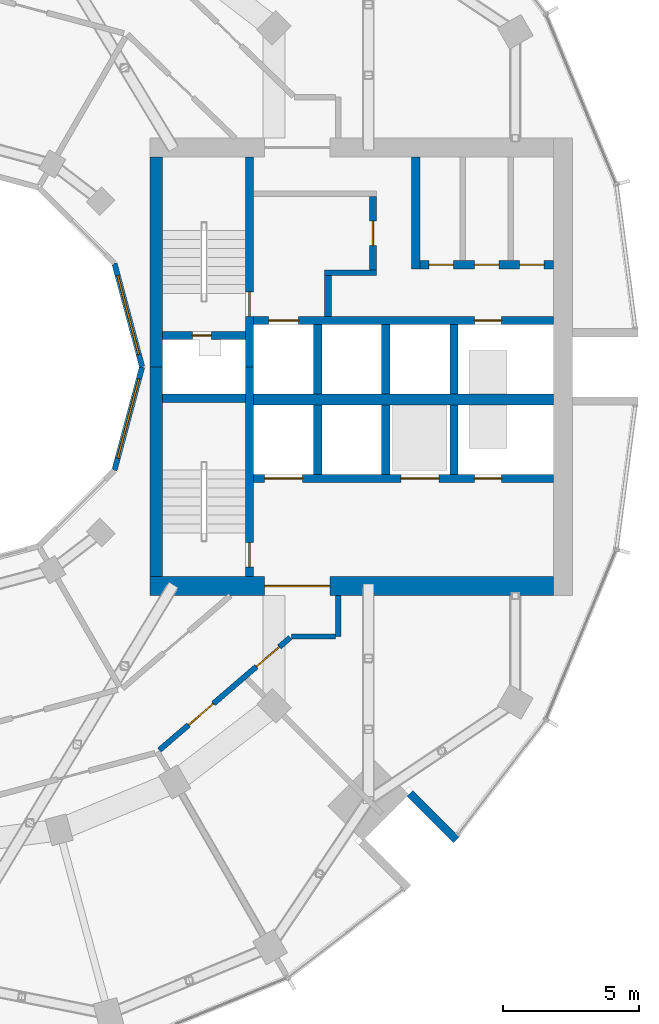
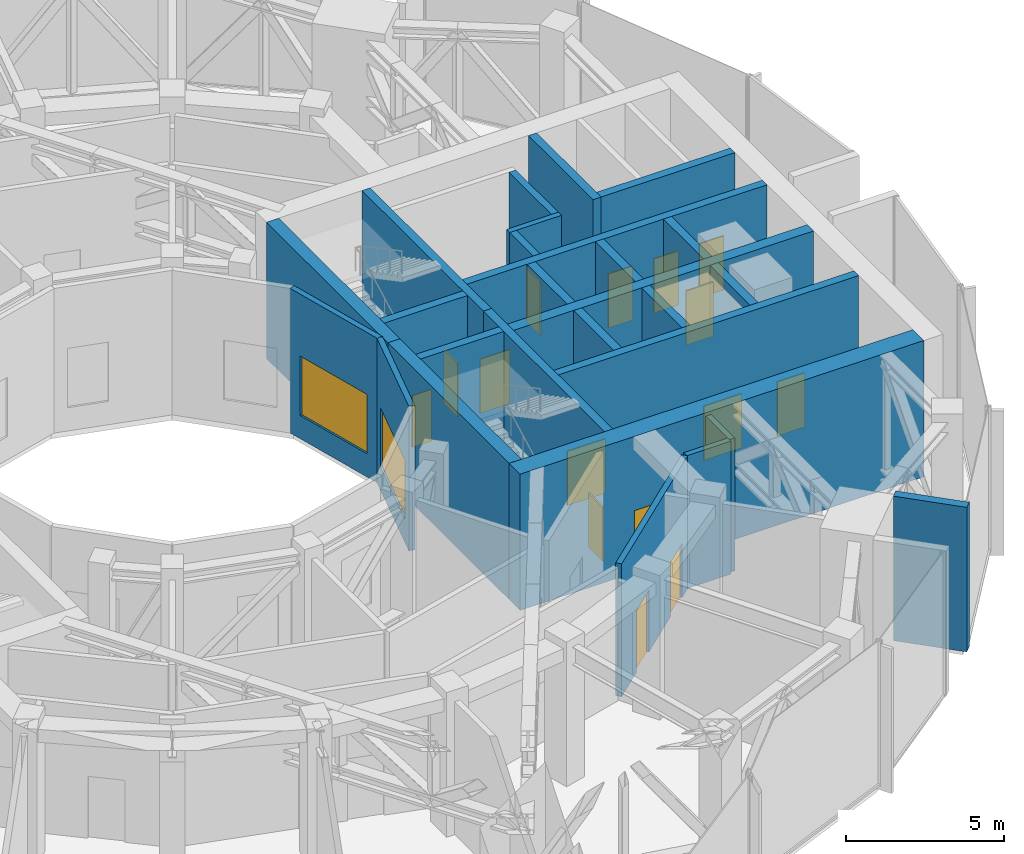
# One storey, part 14 of 18: 27 walls, 15 doors, 2 windows, 17 openings.
"""IFC4 building model written with IfcOpenShell, lengths in metres."""

from ifc_helpers import new_model, si_unit, direction, frame, frame_2d, origin, place, context, subcontext, project, spatial, rectangle, extrude, material, layer, layer_set, type_object, element, fill, save


model = new_model("IFC4")

# Units and contexts
model_context = context("Model", 3, precision=1e-05, world=origin(), true_north=direction((0.0, 1.0)))
body_context = subcontext(model_context, "Body", "Model", "MODEL_VIEW")
ifc_project = project(units=[si_unit("LENGTHUNIT", "METRE"), si_unit("AREAUNIT", "SQUARE_METRE"), si_unit("VOLUMEUNIT", "CUBIC_METRE"), si_unit("PLANEANGLEUNIT", "RADIAN"), si_unit("MASSUNIT", "GRAM", prefix="KILO")], contexts=[model_context])

# Site, building, storey
site_placement = place(None, origin())
site = spatial("IfcSite", under=ifc_project, at=site_placement, CompositionType="ELEMENT")
building_placement = place(site_placement, origin())
building = spatial("IfcBuilding", under=site, at=building_placement, Name="Torre Brocal", CompositionType="ELEMENT")
storey_placement = place(building_placement, frame((0.0, 0.0, 109.0)))
storey = spatial("IfcBuildingStorey", under=building, at=storey_placement, Name="L25", CompositionType="ELEMENT", Elevation=109.0)

# Wall
ifc_material_1 = material(Name="Concrete C70", Category="concrete")
ifc_layer_1 = layer(ifc_material_1, 0.199951171875)
ifc_layer_set_1 = layer_set([ifc_layer_1], Name="Concrete C70")
wall_type_1 = type_object("IfcWallType", Name="CORE WALL 200 C70", PredefinedType="SHEAR", material=ifc_layer_set_1)
wall_1_placement = place(storey_placement, frame((94.300048828125, 78.449951171875, 0.0), z_axis=(0.0, 0.0, 1.0), x_axis=(1.0, 0.0, 0.0)))
element("IfcWall", 1, at=wall_1_placement, inside=storey, type_object=wall_type_1, Name="Wall CW200-70", PredefinedType="SHEAR", context=body_context, shape_type="SweptSolid", body=[
    extrude(rectangle(XDim=1.89990234375, YDim=0.199951171875, at=frame_2d((0.949951171875, 0.0))), origin(), (0.0, 0.0, 1.0), 5.280029296875),
])

# Wall, opening, door
ifc_material_2 = material(Name="Concrete C70", Category="concrete")
ifc_layer_2 = layer(ifc_material_2, 0.25)
ifc_layer_set_2 = layer_set([ifc_layer_2], Name="Concrete C70")
wall_type_2 = type_object("IfcWallType", Name="CORE WALL 250 C70", PredefinedType="SHEAR", material=ifc_layer_set_2)
wall_2_placement = place(storey_placement, frame((96.074951171875, 78.550048828125, 0.0), z_axis=(0.0, 0.0, 1.0), x_axis=(0.0, 1.0, 0.0)))
wall_2 = element("IfcWall", 2, at=wall_2_placement, inside=storey, type_object=wall_type_2, Name="Wall CW250-70", PredefinedType="SHEAR", context=body_context, shape_type="SweptSolid", body=[
    extrude(rectangle(XDim=2.699951171875, YDim=0.25, at=frame_2d((1.35009765625, 0.0))), origin(), (0.0, 0.0, 1.0), 5.280029296875),
])
opening_1_placement = place(wall_2_placement, frame((0.89990234375, 0.0, 0.0)))
opening_1 = element("IfcOpeningElement", 3, at=opening_1_placement, cuts=wall_2, Name="Opening E-D15", PredefinedType="OPENING", context=body_context, shape_type="SweptSolid", body=[
    extrude(rectangle(XDim=0.89990234375, YDim=2.10009765625, at=frame_2d((0.449951171875, 1.050048828125))), frame((0.0, 0.135009765625, 0.0), z_axis=(0.0, -1.0, 0.0), x_axis=(1.0, 0.0, 0.0)), (0.0, 0.0, 1.0), 0.27001953125),
])
ifc_material_3 = material(Name="Steel A653", Category="steel")
door_type_1 = type_object("IfcDoorType", Name="LOBBY DOOR FD120 900X2100", OperationType="SINGLE_SWING_RIGHT", PredefinedType="DOOR", material=ifc_material_3)
door_1_placement = place(opening_1_placement, origin())
door_1 = element("IfcDoor", 4, at=door_1_placement, inside=storey, type_object=door_type_1, Name="Door E-D15", OperationType="SINGLE_SWING_LEFT", OverallHeight=2.10009765625, OverallWidth=0.89990234375, PredefinedType="DOOR", context=body_context, shape_type="SweptSolid", body=[
    extrude(rectangle(XDim=0.89990234375, YDim=2.10009765625, at=frame_2d((0.449951171875, 1.050048828125))), frame((0.0, 0.02490234375, 0.0), z_axis=(0.0, -1.0, 0.0), x_axis=(1.0, 0.0, 0.0)), (0.0, 0.0, 1.0), 0.050048828125),
])
fill(opening_1, door_1)

# Wall
wall_3_placement = place(storey_placement, frame((94.425048828125, 76.85009765625, 0.0), z_axis=(0.0, 0.0, 1.0), x_axis=(0.0, 1.0, 0.0)))
element("IfcWall", 5, at=wall_3_placement, inside=storey, type_object=wall_type_2, Name="Wall CW250-70", PredefinedType="SHEAR", context=body_context, shape_type="SweptSolid", body=[
    extrude(rectangle(XDim=1.5, YDim=0.25, at=frame_2d((0.75, 0.0))), origin(), (0.0, 0.0, 1.0), 5.280029296875),
])

# Wall, opening, door
ifc_material_4 = material(Name="Concrete C70", Category="concrete")
ifc_layer_3 = layer(ifc_material_4, 0.300048828125)
ifc_layer_set_3 = layer_set([ifc_layer_3], Name="Concrete C70")
wall_type_3 = type_object("IfcWallType", Name="CORE WALL 300 C70", PredefinedType="SHEAR", material=ifc_layer_set_3)
wall_4_placement = place(storey_placement, frame((91.550048828125, 75.0, 0.0), z_axis=(0.0, 0.0, 1.0), x_axis=(0.0, 1.0, 0.0)))
wall_4 = element("IfcWall", 6, at=wall_4_placement, inside=storey, type_object=wall_type_3, Name="Wall CW300-70", PredefinedType="SHEAR", context=body_context, shape_type="SweptSolid", body=[
    extrude(rectangle(XDim=7.699951171875, YDim=0.300048828125, at=frame_2d((3.85009765625, 0.0))), origin(), (0.0, 0.0, 1.0), 5.280029296875),
])
opening_2_placement = place(wall_4_placement, frame((1.85009765625, 0.0, 0.0)))
opening_2 = element("IfcOpeningElement", 7, at=opening_2_placement, cuts=wall_4, Name="Opening E-D02", PredefinedType="OPENING", context=body_context, shape_type="SweptSolid", body=[
    extrude(rectangle(XDim=0.89990234375, YDim=2.10009765625, at=frame_2d((0.449951171875, 1.050048828125))), frame((0.0, 0.159912109375, 0.0), z_axis=(0.0, -1.0, 0.0), x_axis=(1.0, 0.0, 0.0)), (0.0, 0.0, 1.0), 0.320068359375),
])
ifc_material_5 = material(Name="Steel A653", Category="steel")
door_type_2 = type_object("IfcDoorType", Name="STAIR DOOR FD120 900X2100", OperationType="SINGLE_SWING_RIGHT", PredefinedType="DOOR", material=ifc_material_5)
door_2_placement = place(opening_2_placement, origin())
door_2 = element("IfcDoor", 8, at=door_2_placement, inside=storey, type_object=door_type_2, Name="Door E-D02", OperationType="SINGLE_SWING_LEFT", OverallHeight=2.10009765625, OverallWidth=0.89990234375, PredefinedType="DOOR", context=body_context, shape_type="SweptSolid", body=[
    extrude(rectangle(XDim=0.89990234375, YDim=2.10009765625, at=frame_2d((0.449951171875, 1.050048828125))), frame((0.0, 0.02490234375, 0.0), z_axis=(0.0, -1.0, 0.0), x_axis=(1.0, 0.0, 0.0)), (0.0, 0.0, 1.0), 0.050048828125),
])
fill(opening_2, door_2)

wall_5_placement = place(storey_placement, frame((91.550048828125, 67.300048828125, 0.0), z_axis=(0.0, 0.0, 1.0), x_axis=(0.0, 1.0, 0.0)))
wall_5 = element("IfcWall", 9, at=wall_5_placement, inside=storey, type_object=wall_type_3, Name="Wall CW300-70", PredefinedType="SHEAR", context=body_context, shape_type="SweptSolid", body=[
    extrude(rectangle(XDim=7.699951171875, YDim=0.300048828125, at=frame_2d((3.85009765625, 0.0))), origin(), (0.0, 0.0, 1.0), 5.280029296875),
])
opening_3_placement = place(wall_5_placement, frame((0.35009765625, 0.0, 0.0)))
opening_3 = element("IfcOpeningElement", 10, at=opening_3_placement, cuts=wall_5, Name="Opening E-D03", PredefinedType="OPENING", context=body_context, shape_type="SweptSolid", body=[
    extrude(rectangle(XDim=0.89990234375, YDim=2.10009765625, at=frame_2d((0.449951171875, 1.050048828125))), frame((0.0, 0.159912109375, 0.0), z_axis=(0.0, -1.0, 0.0), x_axis=(1.0, 0.0, 0.0)), (0.0, 0.0, 1.0), 0.320068359375),
])
door_3_placement = place(opening_3_placement, origin())
door_3 = element("IfcDoor", 11, at=door_3_placement, inside=storey, type_object=door_type_2, Name="Door E-D03", OperationType="SINGLE_SWING_LEFT", OverallHeight=2.10009765625, OverallWidth=0.89990234375, PredefinedType="DOOR", context=body_context, shape_type="SweptSolid", body=[
    extrude(rectangle(XDim=0.89990234375, YDim=2.10009765625, at=frame_2d((0.449951171875, 1.050048828125))), frame((0.0, 0.02490234375, 0.0), z_axis=(0.0, -1.0, 0.0), x_axis=(1.0, 0.0, 0.0)), (0.0, 0.0, 1.0), 0.050048828125),
])
fill(opening_3, door_3)

wall_6_placement = place(storey_placement, frame((88.35009765625, 76.14990234375, 0.0), z_axis=(0.0, 0.0, 1.0), x_axis=(1.0, 0.0, 0.0)))
wall_6 = element("IfcWall", 12, at=wall_6_placement, inside=storey, type_object=wall_type_3, Name="Wall CW300-70", PredefinedType="SHEAR", context=body_context, shape_type="SweptSolid", body=[
    extrude(rectangle(XDim=3.0498046875, YDim=0.300048828125, at=frame_2d((1.52490234375, 0.0))), origin(), (0.0, 0.0, 1.0), 5.280029296875),
])
opening_4_placement = place(wall_6_placement, frame((1.10009765625, 0.0, 0.0)))
opening_4 = element("IfcOpeningElement", 13, at=opening_4_placement, cuts=wall_6, Name="Opening E-D01", PredefinedType="OPENING", context=body_context, shape_type="SweptSolid", body=[
    extrude(rectangle(XDim=0.699951171875, YDim=2.0, at=frame_2d((0.35009765625, 1.0))), frame((0.0, 0.159912109375, 0.0), z_axis=(0.0, -1.0, 0.0), x_axis=(1.0, 0.0, 0.0)), (0.0, 0.0, 1.0), 0.320068359375),
])
ifc_material_6 = material(Name="Steel A653", Category="steel")
door_type_3 = type_object("IfcDoorType", Name="RISER DOOR FD120 700X2000", OperationType="SINGLE_SWING_LEFT", PredefinedType="DOOR", material=ifc_material_6)
door_4_placement = place(opening_4_placement, frame((0.699951171875, 0.0, 0.0), z_axis=(0.0, 0.0, 1.0), x_axis=(-1.0, 0.0, 0.0)))
door_4 = element("IfcDoor", 14, at=door_4_placement, inside=storey, type_object=door_type_3, Name="Door E-D01", OperationType="SINGLE_SWING_RIGHT", OverallHeight=2.0, OverallWidth=0.699951171875, PredefinedType="DOOR", context=body_context, shape_type="SweptSolid", body=[
    extrude(rectangle(XDim=0.699951171875, YDim=2.0, at=frame_2d((0.35009765625, 1.0))), frame((0.0, 0.02490234375, 0.0), z_axis=(0.0, -1.0, 0.0), x_axis=(1.0, 0.0, 0.0)), (0.0, 0.0, 1.0), 0.050048828125),
])
fill(opening_4, door_4)

# Wall
wall_7_placement = place(storey_placement, frame((88.35009765625, 73.85009765625, 0.0), z_axis=(0.0, 0.0, 1.0), x_axis=(1.0, 0.0, 0.0)))
element("IfcWall", 15, at=wall_7_placement, inside=storey, type_object=wall_type_3, Name="Wall CW300-70", PredefinedType="SHEAR", context=body_context, shape_type="SweptSolid", body=[
    extrude(rectangle(XDim=3.0498046875, YDim=0.300048828125, at=frame_2d((1.52490234375, 0.0))), origin(), (0.0, 0.0, 1.0), 5.280029296875),
])

# Wall, openings, doors
wall_8_placement = place(storey_placement, frame((91.699951171875, 76.699951171875, 0.0), z_axis=(0.0, 0.0, 1.0), x_axis=(1.0, 0.0, 0.0)))
wall_8 = element("IfcWall", 16, at=wall_8_placement, inside=storey, type_object=wall_type_3, Name="Wall CW300-70", PredefinedType="SHEAR", context=body_context, shape_type="SweptSolid", body=[
    extrude(rectangle(XDim=11.0, YDim=0.300048828125, at=frame_2d((5.5, 0.0))), origin(), (0.0, 0.0, 1.0), 5.280029296875),
])
opening_5_placement = place(wall_8_placement, frame((0.550048828125, 0.0, 0.0)))
opening_5 = element("IfcOpeningElement", 17, at=opening_5_placement, cuts=wall_8, Name="Opening LD", PredefinedType="OPENING", context=body_context, shape_type="SweptSolid", body=[
    extrude(rectangle(XDim=1.10009765625, YDim=2.10009765625, at=frame_2d((0.550048828125, 1.050048828125))), frame((0.0, 0.159912109375, 0.0), z_axis=(0.0, -1.0, 0.0), x_axis=(1.0, 0.0, 0.0)), (0.0, 0.0, 1.0), 0.320068359375),
])
opening_6_placement = place(wall_8_placement, frame((8.10009765625, 0.0, 0.0)))
opening_6 = element("IfcOpeningElement", 18, at=opening_6_placement, cuts=wall_8, Name="Opening LD10", PredefinedType="OPENING", context=body_context, shape_type="SweptSolid", body=[
    extrude(rectangle(XDim=1.0, YDim=2.10009765625, at=frame_2d((0.5, 1.050048828125))), frame((0.0, 0.159912109375, 0.0), z_axis=(0.0, -1.0, 0.0), x_axis=(1.0, 0.0, 0.0)), (0.0, 0.0, 1.0), 0.320068359375),
])
ifc_material_7 = material(Name="Stainless steel AISI 316", Category="steel")
door_type_4 = type_object("IfcDoorType", Name="LIFT LANDING DOOR 1000X2100", OperationType="DOUBLE_DOOR_SLIDING", PredefinedType="DOOR", material=ifc_material_7)
door_5_placement = place(opening_6_placement, origin())
door_5 = element("IfcDoor", 19, at=door_5_placement, inside=storey, type_object=door_type_4, Name="Door LD10", OperationType="DOUBLE_DOOR_SLIDING", OverallHeight=2.10009765625, OverallWidth=1.0, PredefinedType="DOOR", context=body_context, shape_type="SweptSolid", body=[
    extrude(rectangle(XDim=1.0, YDim=2.10009765625, at=frame_2d((0.5, 1.050048828125))), frame((0.0, 0.02490234375, 0.0), z_axis=(0.0, -1.0, 0.0), x_axis=(1.0, 0.0, 0.0)), (0.0, 0.0, 1.0), 0.050048828125),
])
fill(opening_6, door_5)
ifc_material_8 = material(Name="Stainless steel AISI 316", Category="steel")
door_type_5 = type_object("IfcDoorType", Name="LIFT LANDING DOOR 1100X2100", OperationType="DOUBLE_DOOR_SLIDING", PredefinedType="DOOR", material=ifc_material_8)
door_6_placement = place(opening_5_placement, origin())
door_6 = element("IfcDoor", 20, at=door_6_placement, inside=storey, type_object=door_type_5, Name="Door LD", OperationType="DOUBLE_DOOR_SLIDING", OverallHeight=2.10009765625, OverallWidth=1.10009765625, PredefinedType="DOOR", context=body_context, shape_type="SweptSolid", body=[
    extrude(rectangle(XDim=1.10009765625, YDim=2.10009765625, at=frame_2d((0.550048828125, 1.050048828125))), frame((0.0, 0.02490234375, 0.0), z_axis=(0.0, -1.0, 0.0), x_axis=(1.0, 0.0, 0.0)), (0.0, 0.0, 1.0), 0.050048828125),
])
fill(opening_5, door_6)

wall_9_placement = place(storey_placement, frame((91.699951171875, 70.89990234375, 0.0), z_axis=(0.0, 0.0, 1.0), x_axis=(1.0, 0.0, 0.0)))
wall_9 = element("IfcWall", 21, at=wall_9_placement, inside=storey, type_object=wall_type_3, Name="Wall CW300-70", PredefinedType="SHEAR", context=body_context, shape_type="SweptSolid", body=[
    extrude(rectangle(XDim=11.0, YDim=0.300048828125, at=frame_2d((5.5, 0.0))), origin(), (0.0, 0.0, 1.0), 5.280029296875),
])
opening_7_placement = place(wall_9_placement, frame((0.39990234375, 0.0, 0.0)))
opening_7 = element("IfcOpeningElement", 22, at=opening_7_placement, cuts=wall_9, Name="Opening LD14", PredefinedType="OPENING", context=body_context, shape_type="SweptSolid", body=[
    extrude(rectangle(XDim=1.39990234375, YDim=2.10009765625, at=frame_2d((0.699951171875, 1.050048828125))), frame((0.0, 0.159912109375, 0.0), z_axis=(0.0, -1.0, 0.0), x_axis=(1.0, 0.0, 0.0)), (0.0, 0.0, 1.0), 0.320068359375),
])
opening_8_placement = place(wall_9_placement, frame((5.39990234375, 0.0, 0.0)))
opening_8 = element("IfcOpeningElement", 23, at=opening_8_placement, cuts=wall_9, Name="Opening LD14", PredefinedType="OPENING", context=body_context, shape_type="SweptSolid", body=[
    extrude(rectangle(XDim=1.39990234375, YDim=2.10009765625, at=frame_2d((0.699951171875, 1.050048828125))), frame((0.0, 0.159912109375, 0.0), z_axis=(0.0, -1.0, 0.0), x_axis=(1.0, 0.0, 0.0)), (0.0, 0.0, 1.0), 0.320068359375),
])
opening_9_placement = place(wall_9_placement, frame((8.10009765625, 0.0, 0.0)))
opening_9 = element("IfcOpeningElement", 24, at=opening_9_placement, cuts=wall_9, Name="Opening LD10", PredefinedType="OPENING", context=body_context, shape_type="SweptSolid", body=[
    extrude(rectangle(XDim=1.0, YDim=2.10009765625, at=frame_2d((0.5, 1.050048828125))), frame((0.0, 0.159912109375, 0.0), z_axis=(0.0, -1.0, 0.0), x_axis=(1.0, 0.0, 0.0)), (0.0, 0.0, 1.0), 0.320068359375),
])
door_7_placement = place(opening_9_placement, origin())
door_7 = element("IfcDoor", 25, at=door_7_placement, inside=storey, type_object=door_type_4, Name="Door LD10", OperationType="DOUBLE_DOOR_SLIDING", OverallHeight=2.10009765625, OverallWidth=1.0, PredefinedType="DOOR", context=body_context, shape_type="SweptSolid", body=[
    extrude(rectangle(XDim=1.0, YDim=2.10009765625, at=frame_2d((0.5, 1.050048828125))), frame((0.0, 0.02490234375, 0.0), z_axis=(0.0, -1.0, 0.0), x_axis=(1.0, 0.0, 0.0)), (0.0, 0.0, 1.0), 0.050048828125),
])
fill(opening_9, door_7)
ifc_material_9 = material(Name="Stainless steel AISI 316", Category="steel")
door_type_6 = type_object("IfcDoorType", Name="LIFT LANDING DOOR 1400X2100", OperationType="DOUBLE_DOOR_SLIDING", PredefinedType="DOOR", material=ifc_material_9)
door_8_placement = place(opening_7_placement, origin())
door_8 = element("IfcDoor", 26, at=door_8_placement, inside=storey, type_object=door_type_6, Name="Door LD14", OperationType="DOUBLE_DOOR_SLIDING", OverallHeight=2.10009765625, OverallWidth=1.39990234375, PredefinedType="DOOR", context=body_context, shape_type="SweptSolid", body=[
    extrude(rectangle(XDim=1.39990234375, YDim=2.10009765625, at=frame_2d((0.699951171875, 1.050048828125))), frame((0.0, 0.02490234375, 0.0), z_axis=(0.0, -1.0, 0.0), x_axis=(1.0, 0.0, 0.0)), (0.0, 0.0, 1.0), 0.050048828125),
])
fill(opening_7, door_8)
door_9_placement = place(opening_8_placement, origin())
door_9 = element("IfcDoor", 27, at=door_9_placement, inside=storey, type_object=door_type_6, Name="Door LD14", OperationType="DOUBLE_DOOR_SLIDING", OverallHeight=2.10009765625, OverallWidth=1.39990234375, PredefinedType="DOOR", context=body_context, shape_type="SweptSolid", body=[
    extrude(rectangle(XDim=1.39990234375, YDim=2.10009765625, at=frame_2d((0.699951171875, 1.050048828125))), frame((0.0, 0.02490234375, 0.0), z_axis=(0.0, -1.0, 0.0), x_axis=(1.0, 0.0, 0.0)), (0.0, 0.0, 1.0), 0.050048828125),
])
fill(opening_8, door_9)

# Walls
for number, where, z_axis, x_axis, name in (
    (28, (94.050048828125, 74.0, 0.0), (0.0, 0.0, 1.0), (0.0, 1.0, 0.0), "Wall CW300-70"),
    (29, (96.550048828125, 74.0, 0.0), (0.0, 0.0, 1.0), (0.0, 1.0, 0.0), "Wall CW300-70"),
    (30, (99.050048828125, 74.0, 0.0), (0.0, 0.0, 1.0), (0.0, 1.0, 0.0), "Wall CW300-70"),
    (31, (94.050048828125, 71.050048828125, 0.0), (0.0, 0.0, 1.0), (0.0, 1.0, 0.0), "Wall CW300-70"),
    (32, (96.550048828125, 71.050048828125, 0.0), (0.0, 0.0, 1.0), (0.0, 1.0, 0.0), "Wall CW300-70"),
    (33, (99.050048828125, 71.050048828125, 0.0), (0.0, 0.0, 1.0), (0.0, 1.0, 0.0), "Wall CW300-70"),
):
    element("IfcWall", number, at=place(storey_placement, frame(where, z_axis=z_axis, x_axis=x_axis)), inside=storey, type_object=wall_type_3, Name=name, PredefinedType="SHEAR", context=body_context, shape_type="SweptSolid", body=[
        extrude(rectangle(XDim=2.550048828125, YDim=0.300048828125, at=frame_2d((1.27490234375, 0.0))), origin(), (0.0, 0.0, 1.0), 5.280029296875),
    ])
wall_10_placement = place(storey_placement, frame((97.64990234375, 78.60009765625, 0.0), z_axis=(0.0, 0.0, 1.0), x_axis=(0.0, 1.0, 0.0)))
element("IfcWall", 34, at=wall_10_placement, inside=storey, type_object=wall_type_3, Name="Wall CW300-70", PredefinedType="SHEAR", context=body_context, shape_type="SweptSolid", body=[
    extrude(rectangle(XDim=4.099853515625, YDim=0.300048828125, at=frame_2d((2.0498046875, 0.0))), origin(), (0.0, 0.0, 1.0), 5.280029296875),
])

# Wall, openings, doors
wall_11_placement = place(storey_placement, frame((97.800048828125, 78.75, 0.0), z_axis=(0.0, 0.0, 1.0), x_axis=(1.0, 0.0, 0.0)))
wall_11 = element("IfcWall", 35, at=wall_11_placement, inside=storey, type_object=wall_type_3, Name="Wall CW300-70", PredefinedType="SHEAR", context=body_context, shape_type="SweptSolid", body=[
    extrude(rectangle(XDim=4.89990234375, YDim=0.300048828125, at=frame_2d((2.449951171875, 0.0))), origin(), (0.0, 0.0, 1.0), 5.280029296875),
])
opening_10_placement = place(wall_11_placement, frame((0.333984375, 0.0, 0.0)))
opening_10 = element("IfcOpeningElement", 36, at=opening_10_placement, cuts=wall_11, Name="Opening E-D05", PredefinedType="OPENING", context=body_context, shape_type="SweptSolid", body=[
    extrude(rectangle(XDim=0.89990234375, YDim=2.10009765625, at=frame_2d((0.449951171875, 1.050048828125))), frame((0.0, 0.159912109375, 0.0), z_axis=(0.0, -1.0, 0.0), x_axis=(1.0, 0.0, 0.0)), (0.0, 0.0, 1.0), 0.320068359375),
])
opening_11_placement = place(wall_11_placement, frame((2.0, 0.0, 0.0)))
opening_11 = element("IfcOpeningElement", 37, at=opening_11_placement, cuts=wall_11, Name="Opening E-D06", PredefinedType="OPENING", context=body_context, shape_type="SweptSolid", body=[
    extrude(rectangle(XDim=0.89990234375, YDim=2.10009765625, at=frame_2d((0.449951171875, 1.050048828125))), frame((0.0, 0.159912109375, 0.0), z_axis=(0.0, -1.0, 0.0), x_axis=(1.0, 0.0, 0.0)), (0.0, 0.0, 1.0), 0.320068359375),
])
opening_12_placement = place(wall_11_placement, frame((3.666015625, 0.0, 0.0)))
opening_12 = element("IfcOpeningElement", 38, at=opening_12_placement, cuts=wall_11, Name="Opening E-D07", PredefinedType="OPENING", context=body_context, shape_type="SweptSolid", body=[
    extrude(rectangle(XDim=0.89990234375, YDim=2.10009765625, at=frame_2d((0.449951171875, 1.050048828125))), frame((0.0, 0.159912109375, 0.0), z_axis=(0.0, -1.0, 0.0), x_axis=(1.0, 0.0, 0.0)), (0.0, 0.0, 1.0), 0.320068359375),
])
ifc_material_10 = material(Name="Steel A653", Category="steel")
door_type_7 = type_object("IfcDoorType", Name="ROOM DOOR FD30S 900X2100", OperationType="SINGLE_SWING_LEFT", PredefinedType="DOOR", material=ifc_material_10)
door_10_placement = place(opening_10_placement, origin())
door_10 = element("IfcDoor", 39, at=door_10_placement, inside=storey, type_object=door_type_7, Name="Door E-D05", OperationType="SINGLE_SWING_RIGHT", OverallHeight=2.10009765625, OverallWidth=0.89990234375, PredefinedType="DOOR", context=body_context, shape_type="SweptSolid", body=[
    extrude(rectangle(XDim=0.89990234375, YDim=2.10009765625, at=frame_2d((0.449951171875, 1.050048828125))), frame((0.0, 0.02490234375, 0.0), z_axis=(0.0, -1.0, 0.0), x_axis=(1.0, 0.0, 0.0)), (0.0, 0.0, 1.0), 0.050048828125),
])
fill(opening_10, door_10)
door_11_placement = place(opening_11_placement, origin())
door_11 = element("IfcDoor", 40, at=door_11_placement, inside=storey, type_object=door_type_7, Name="Door E-D06", OperationType="SINGLE_SWING_LEFT", OverallHeight=2.10009765625, OverallWidth=0.89990234375, PredefinedType="DOOR", context=body_context, shape_type="SweptSolid", body=[
    extrude(rectangle(XDim=0.89990234375, YDim=2.10009765625, at=frame_2d((0.449951171875, 1.050048828125))), frame((0.0, 0.02490234375, 0.0), z_axis=(0.0, -1.0, 0.0), x_axis=(1.0, 0.0, 0.0)), (0.0, 0.0, 1.0), 0.050048828125),
])
fill(opening_11, door_11)
door_12_placement = place(opening_12_placement, origin())
door_12 = element("IfcDoor", 41, at=door_12_placement, inside=storey, type_object=door_type_7, Name="Door E-D07", OperationType="SINGLE_SWING_LEFT", OverallHeight=2.10009765625, OverallWidth=0.89990234375, PredefinedType="DOOR", context=body_context, shape_type="SweptSolid", body=[
    extrude(rectangle(XDim=0.89990234375, YDim=2.10009765625, at=frame_2d((0.449951171875, 1.050048828125))), frame((0.0, 0.02490234375, 0.0), z_axis=(0.0, -1.0, 0.0), x_axis=(1.0, 0.0, 0.0)), (0.0, 0.0, 1.0), 0.050048828125),
])
fill(opening_12, door_12)

# Walls
ifc_material_11 = material(Name="Concrete C70", Category="concrete")
ifc_layer_4 = layer(ifc_material_11, 0.39990234375)
ifc_layer_set_4 = layer_set([ifc_layer_4], Name="Concrete C70")
wall_type_4 = type_object("IfcWallType", Name="CORE WALL 400 C70", PredefinedType="SHEAR", material=ifc_layer_set_4)
wall_12_placement = place(storey_placement, frame((91.699951171875, 73.800048828125, 0.0), z_axis=(0.0, 0.0, 1.0), x_axis=(1.0, 0.0, 0.0)))
element("IfcWall", 42, at=wall_12_placement, inside=storey, type_object=wall_type_4, Name="Wall CW400-70", PredefinedType="SHEAR", context=body_context, shape_type="SweptSolid", body=[
    extrude(rectangle(XDim=11.0, YDim=0.39990234375, at=frame_2d((5.5, 0.0))), origin(), (0.0, 0.0, 1.0), 5.280029296875),
])
ifc_material_12 = material(Name="Concrete C70", Category="concrete")
ifc_layer_5 = layer(ifc_material_12, 0.449951171875)
ifc_layer_set_5 = layer_set([ifc_layer_5], Name="Concrete C70")
wall_type_5 = type_object("IfcWallType", Name="CORE WALL 450 C70", PredefinedType="SHEAR", material=ifc_layer_set_5)
for number, where, z_axis, x_axis, name in (
    (43, (88.125, 75.0, 0.0), (0.0, 0.0, 1.0), (0.0, 1.0, 0.0), "Wall CW450-70"),
    (44, (88.125, 67.300048828125, 0.0), (0.0, 0.0, 1.0), (0.0, 1.0, 0.0), "Wall CW450-70"),
):
    element("IfcWall", number, at=place(storey_placement, frame(where, z_axis=z_axis, x_axis=x_axis)), inside=storey, type_object=wall_type_5, Name=name, PredefinedType="SHEAR", context=body_context, shape_type="SweptSolid", body=[
        extrude(rectangle(XDim=7.699951171875, YDim=0.449951171875, at=frame_2d((3.85009765625, 0.0))), origin(), (0.0, 0.0, 1.0), 5.280029296875),
    ])

# Wall, opening, door
ifc_material_13 = material(Name="Concrete C70", Category="concrete")
ifc_layer_6 = layer(ifc_material_13, 0.699951171875)
ifc_layer_set_6 = layer_set([ifc_layer_6], Name="Concrete C70")
wall_type_6 = type_object("IfcWallType", Name="CORE WALL 700 C70", PredefinedType="SHEAR", material=ifc_layer_set_6)
wall_13_placement = place(storey_placement, frame((87.89990234375, 66.949951171875, 0.0), z_axis=(0.0, 0.0, 1.0), x_axis=(1.0, 0.0, 0.0)))
wall_13 = element("IfcWall", 45, at=wall_13_placement, inside=storey, type_object=wall_type_6, Name="Wall CW700-70", PredefinedType="SHEAR", context=body_context, shape_type="SweptSolid", body=[
    extrude(rectangle(XDim=14.800048828125, YDim=0.699951171875, at=frame_2d((7.39990234375, 0.0))), origin(), (0.0, 0.0, 1.0), 5.280029296875),
])
opening_13_placement = place(wall_13_placement, frame((4.199951171875, 0.0, 0.0)))
opening_13 = element("IfcOpeningElement", 46, at=opening_13_placement, cuts=wall_13, Name="Opening E-D30", PredefinedType="OPENING", context=body_context, shape_type="SweptSolid", body=[
    extrude(rectangle(XDim=2.39990234375, YDim=2.39990234375, at=frame_2d((1.199951171875, 1.199951171875))), frame((0.0, 0.35986328125, 0.0), z_axis=(0.0, -1.0, 0.0), x_axis=(1.0, 0.0, 0.0)), (0.0, 0.0, 1.0), 0.719970703125),
])
ifc_material_14 = material(Name="Steel A653", Category="steel")
door_type_8 = type_object("IfcDoorType", Name="DOUBLE FIRE DOOR FD90 2400X2400", OperationType="DOUBLE_DOOR_SINGLE_SWING", PredefinedType="DOOR", material=ifc_material_14)
door_13_placement = place(opening_13_placement, origin())
door_13 = element("IfcDoor", 47, at=door_13_placement, inside=storey, type_object=door_type_8, Name="Door E-D30", OperationType="DOUBLE_DOOR_SINGLE_SWING", OverallHeight=2.39990234375, OverallWidth=2.39990234375, PredefinedType="DOOR", context=body_context, shape_type="SweptSolid", body=[
    extrude(rectangle(XDim=2.39990234375, YDim=2.39990234375, at=frame_2d((1.199951171875, 1.199951171875))), frame((0.0, 0.02490234375, 0.0), z_axis=(0.0, -1.0, 0.0), x_axis=(1.0, 0.0, 0.0)), (0.0, 0.0, 1.0), 0.050048828125),
])
fill(opening_13, door_13)

# Wall
ifc_material_15 = material(Name="Concrete C70", Category="concrete")
ifc_layer_7 = layer(ifc_material_15, 0.300048828125)
ifc_layer_set_7 = layer_set([ifc_layer_7], Name="Concrete C70")
wall_type_7 = type_object("IfcWallType", Name="NOTCH RETURN WALL 300 C70", PredefinedType="NOTDEFINED", material=ifc_layer_set_7)
wall_14_placement = place(storey_placement, frame((97.43017578125, 59.337646484375, 0.0), z_axis=(0.0, 0.0, 1.0), x_axis=(0.707106781187, -0.707106781187, 0.0)))
element("IfcWall", 48, at=wall_14_placement, inside=storey, type_object=wall_type_7, Name="NOTCH RETURN WALL", PredefinedType="NOTDEFINED", context=body_context, shape_type="SweptSolid", body=[
    extrude(rectangle(XDim=2.415771484375, YDim=0.300048828125, at=frame_2d((1.2080078125, 0.0))), origin(), (0.0, 0.0, 1.0), 5.60009765625),
])

# Wall, openings, doors
ifc_material_16 = material(Name="Masonry block", Category="masonry")
ifc_layer_8 = layer(ifc_material_16, 0.199951171875)
ifc_layer_set_8 = layer_set([ifc_layer_8], Name="Masonry block")
wall_type_8 = type_object("IfcWallType", Name="PARTITION 200 EI120", PredefinedType="PARTITIONING", material=ifc_layer_set_8)
wall_15_placement = place(storey_placement, frame((88.236572265625, 60.928955078125, 0.0), z_axis=(0.0, 0.0, 1.0), x_axis=(0.758121184653, 0.6521136936, 0.0)))
wall_15 = element("IfcWall", 49, at=wall_15_placement, inside=storey, type_object=wall_type_8, Name="PLANT ROOM WALL", PredefinedType="PARTITIONING", context=body_context, shape_type="SweptSolid", body=[
    extrude(rectangle(XDim=6.335693359375, YDim=0.199951171875, at=frame_2d((3.16796875, 0.0))), origin(), (0.0, 0.0, 1.0), 5.14990234375),
])
opening_14_placement = place(wall_15_placement, frame((4.706787109375, 0.0, 0.0)))
opening_14 = element("IfcOpeningElement", 50, at=opening_14_placement, cuts=wall_15, Name="Opening X1-D11", PredefinedType="OPENING", context=body_context, shape_type="SweptSolid", body=[
    extrude(rectangle(XDim=1.10009765625, YDim=2.10009765625, at=frame_2d((0.550048828125, 1.050048828125))), frame((0.0, 0.10986328125, 0.0), z_axis=(0.0, -1.0, 0.0), x_axis=(1.0, 0.0, 0.0)), (0.0, 0.0, 1.0), 0.219970703125),
])
opening_15_placement = place(wall_15_placement, frame((1.418701171875, 0.0, 0.0)))
opening_15 = element("IfcOpeningElement", 51, at=opening_15_placement, cuts=wall_15, Name="Opening X1-D12", PredefinedType="OPENING", context=body_context, shape_type="SweptSolid", body=[
    extrude(rectangle(XDim=1.199951171875, YDim=2.39990234375, at=frame_2d((0.60009765625, 1.199951171875))), frame((0.0, 0.10986328125, 0.0), z_axis=(0.0, -1.0, 0.0), x_axis=(1.0, 0.0, 0.0)), (0.0, 0.0, 1.0), 0.219970703125),
])
ifc_material_17 = material(Name="Steel A653", Category="steel")
door_type_9 = type_object("IfcDoorType", Name="PLANT DOOR FD90 1200X2400", OperationType="SINGLE_SWING_RIGHT", PredefinedType="DOOR", material=ifc_material_17)
door_14_placement = place(opening_15_placement, frame((1.199951171875, 0.0, 0.0), z_axis=(0.0, 0.0, 1.0), x_axis=(-1.0, 0.0, 0.0)))
door_14 = element("IfcDoor", 52, at=door_14_placement, inside=storey, type_object=door_type_9, Name="X1-D12", OperationType="SINGLE_SWING_LEFT", OverallHeight=2.39990234375, OverallWidth=1.199951171875, PredefinedType="DOOR", context=body_context, shape_type="SweptSolid", body=[
    extrude(rectangle(XDim=1.199951171875, YDim=2.39990234375, at=frame_2d((0.60009765625, 1.199951171875))), frame((0.0, 0.02490234375, 0.0), z_axis=(0.0, -1.0, 0.0), x_axis=(1.0, 0.0, 0.0)), (0.0, 0.0, 1.0), 0.050048828125),
])
fill(opening_15, door_14)
ifc_material_18 = material(Name="Steel A653", Category="steel")
door_type_10 = type_object("IfcDoorType", Name="REFUGE DOOR FD90 1100X2100", OperationType="SINGLE_SWING_RIGHT", PredefinedType="DOOR", material=ifc_material_18)
door_15_placement = place(opening_14_placement, frame((1.10009765625, 0.0, 0.0), z_axis=(0.0, 0.0, 1.0), x_axis=(-1.0, 0.0, 0.0)))
door_15 = element("IfcDoor", 53, at=door_15_placement, inside=storey, type_object=door_type_10, Name="X1-D11", OperationType="SINGLE_SWING_RIGHT", OverallHeight=2.10009765625, OverallWidth=1.10009765625, PredefinedType="DOOR", context=body_context, shape_type="SweptSolid", body=[
    extrude(rectangle(XDim=1.10009765625, YDim=2.10009765625, at=frame_2d((0.550048828125, 1.050048828125))), frame((0.0, 0.02490234375, 0.0), z_axis=(0.0, -1.0, 0.0), x_axis=(1.0, 0.0, 0.0)), (0.0, 0.0, 1.0), 0.050048828125),
])
fill(opening_14, door_15)

# Walls
ifc_material_19 = material(Name="Gypsum board", Category="Gypsum")
ifc_layer_9 = layer(ifc_material_19, 0.199951171875)
ifc_layer_set_9 = layer_set([ifc_layer_9], Name="Gypsum board")
wall_type_9 = type_object("IfcWallType", Name="PARTITION 200 EI60", PredefinedType="PARTITIONING", material=ifc_layer_set_9)
wall_16_placement = place(storey_placement, frame((93.0849609375, 65.10009765625, 0.0), z_axis=(0.0, 0.0, 1.0), x_axis=(1.0, 0.0, 0.0)))
element("IfcWall", 54, at=wall_16_placement, inside=storey, type_object=wall_type_9, Name="PLANT ROOM WALL", PredefinedType="PARTITIONING", context=body_context, shape_type="SweptSolid", body=[
    extrude(rectangle(XDim=1.614990234375, YDim=0.199951171875, at=frame_2d((0.8076171875, 0.0))), origin(), (0.0, 0.0, 1.0), 5.14990234375),
])
wall_17_placement = place(storey_placement, frame((94.800048828125, 65.10009765625, 0.0), z_axis=(0.0, 0.0, 1.0), x_axis=(0.0, 1.0, 0.0)))
element("IfcWall", 55, at=wall_17_placement, inside=storey, type_object=wall_type_9, Name="PLANT ROOM WALL", PredefinedType="PARTITIONING", context=body_context, shape_type="SweptSolid", body=[
    extrude(rectangle(XDim=1.4990234375, YDim=0.199951171875, at=frame_2d((0.74951171875, 0.0))), origin(), (0.0, 0.0, 1.0), 5.14990234375),
])

# Wall, opening, window
ifc_material_20 = material(Name="Concrete C40", Category="concrete")
ifc_layer_10 = layer(ifc_material_20, 0.199951171875)
ifc_layer_set_10 = layer_set([ifc_layer_10], Name="Concrete C40")
wall_type_10 = type_object("IfcWallType", Name="WELL FACADE WALL 200", PredefinedType="NOTDEFINED", material=ifc_layer_set_10)
wall_18_placement = place(storey_placement, frame((87.603515625, 75.0, 0.0), z_axis=(0.0, 0.0, 1.0), x_axis=(-0.258789828301, 0.965933654434, 0.0)))
wall_18 = element("IfcWall", 56, at=wall_18_placement, inside=storey, type_object=wall_type_10, Name="WELL FACADE WALL", PredefinedType="NOTDEFINED", context=body_context, shape_type="SweptSolid", body=[
    extrude(rectangle(XDim=3.935791015625, YDim=0.199951171875, at=frame_2d((1.9677734375, 0.0))), origin(), (0.0, 0.0, 1.0), 5.60009765625),
])
opening_16_placement = place(wall_18_placement, frame((0.468017578125, 0.0, 0.89990234375)))
opening_16 = element("IfcOpeningElement", 57, at=opening_16_placement, cuts=wall_18, Name="Opening W1", PredefinedType="OPENING", context=body_context, shape_type="SweptSolid", body=[
    extrude(rectangle(XDim=3.0, YDim=2.300048828125, at=frame_2d((1.5, 1.14990234375))), frame((0.0, 0.10986328125, 0.0), z_axis=(0.0, -1.0, 0.0), x_axis=(1.0, 0.0, 0.0)), (0.0, 0.0, 1.0), 0.219970703125),
])
ifc_material_21 = material(Name="Aluminium and glass", Category="aluminium")
window_type = type_object("IfcWindowType", Name="WELL WINDOW 3000X2300", PartitioningType="SINGLE_PANEL", PredefinedType="WINDOW", material=ifc_material_21)
window_1_placement = place(opening_16_placement, origin())
window_1 = element("IfcWindow", 58, at=window_1_placement, inside=storey, type_object=window_type, Name="WELL WINDOW 3000X2300", OverallHeight=2.300048828125, OverallWidth=3.0, PartitioningType="SINGLE_PANEL", PredefinedType="WINDOW", context=body_context, shape_type="SweptSolid", body=[
    extrude(rectangle(XDim=3.0, YDim=2.300048828125, at=frame_2d((1.5, 1.14990234375))), frame((0.0, 0.030029296875, 0.0), z_axis=(0.0, -1.0, 0.0), x_axis=(1.0, 0.0, 0.0)), (0.0, 0.0, 1.0), 0.06005859375),
])
fill(opening_16, window_1)

wall_19_placement = place(storey_placement, frame((86.5849609375, 71.1982421875, 0.0), z_axis=(0.0, 0.0, 1.0), x_axis=(0.258789828301, 0.965933654434, 0.0)))
wall_19 = element("IfcWall", 59, at=wall_19_placement, inside=storey, type_object=wall_type_10, Name="WELL FACADE WALL", PredefinedType="NOTDEFINED", context=body_context, shape_type="SweptSolid", body=[
    extrude(rectangle(XDim=3.935791015625, YDim=0.199951171875, at=frame_2d((1.9677734375, 0.0))), origin(), (0.0, 0.0, 1.0), 5.60009765625),
])
opening_17_placement = place(wall_19_placement, frame((0.468017578125, 0.0, 0.89990234375)))
opening_17 = element("IfcOpeningElement", 60, at=opening_17_placement, cuts=wall_19, Name="Opening W1", PredefinedType="OPENING", context=body_context, shape_type="SweptSolid", body=[
    extrude(rectangle(XDim=3.0, YDim=2.300048828125, at=frame_2d((1.5, 1.14990234375))), frame((0.0, 0.10986328125, 0.0), z_axis=(0.0, -1.0, 0.0), x_axis=(1.0, 0.0, 0.0)), (0.0, 0.0, 1.0), 0.219970703125),
])
window_2_placement = place(opening_17_placement, origin())
window_2 = element("IfcWindow", 61, at=window_2_placement, inside=storey, type_object=window_type, Name="WELL WINDOW 3000X2300", OverallHeight=2.300048828125, OverallWidth=3.0, PartitioningType="SINGLE_PANEL", PredefinedType="WINDOW", context=body_context, shape_type="SweptSolid", body=[
    extrude(rectangle(XDim=3.0, YDim=2.300048828125, at=frame_2d((1.5, 1.14990234375))), frame((0.0, 0.030029296875, 0.0), z_axis=(0.0, -1.0, 0.0), x_axis=(1.0, 0.0, 0.0)), (0.0, 0.0, 1.0), 0.06005859375),
])
fill(opening_17, window_2)

save(model, "model.ifc")
